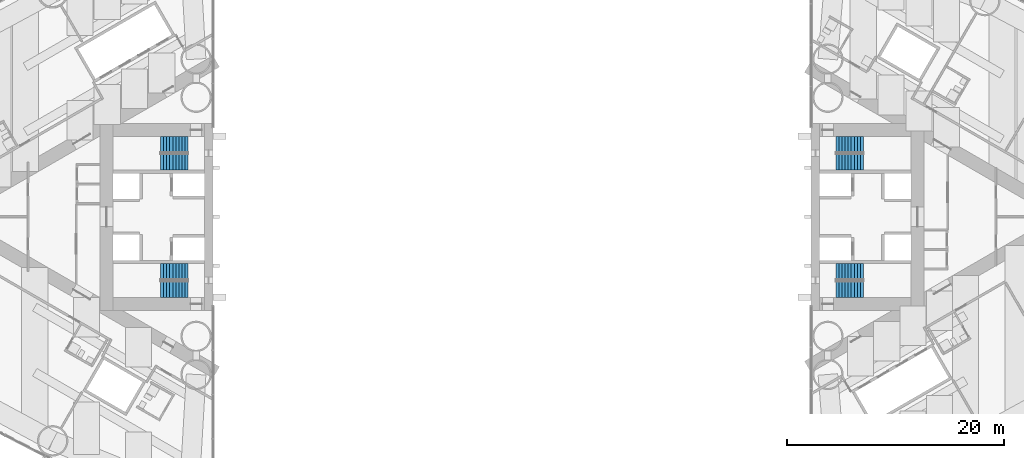
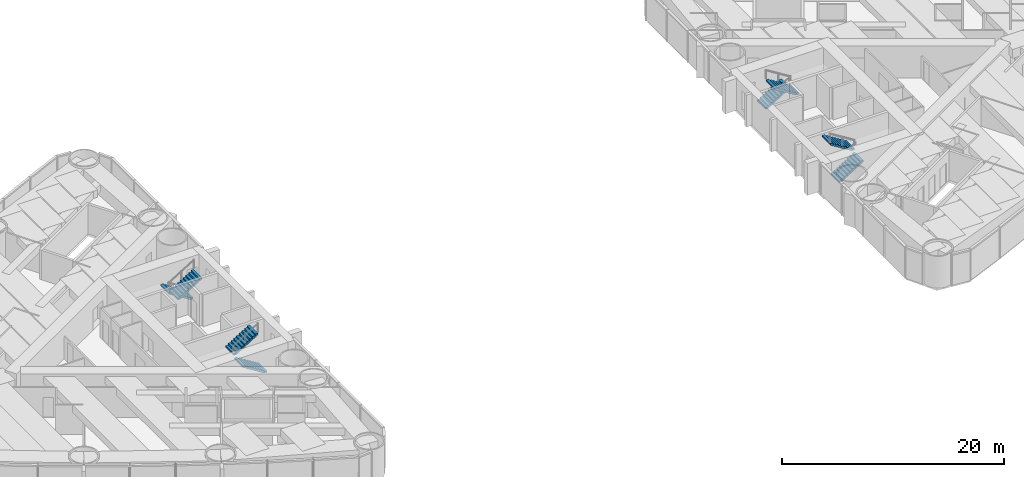
# One storey, part 17 of 19: 8 stair flights, 4 elements without a shape of their own.
"""IFC4 building model written with IfcOpenShell, lengths in metres."""

from ifc_helpers import new_model, si_unit, direction, frame, origin, place, context, subcontext, project, spatial, polyline, outline, extrude, material, type_object, element, aggregate, save


model = new_model("IFC4")

# Units and contexts
model_context = context("Model", 3, precision=1e-05, world=origin(), true_north=direction((0.0, 1.0)))
body_context = subcontext(model_context, "Body", "Model", "MODEL_VIEW")
ifc_project = project(units=[si_unit("LENGTHUNIT", "METRE"), si_unit("AREAUNIT", "SQUARE_METRE"), si_unit("VOLUMEUNIT", "CUBIC_METRE"), si_unit("PLANEANGLEUNIT", "RADIAN"), si_unit("MASSUNIT", "GRAM", prefix="KILO")], contexts=[model_context])

# Site, building, storey
site_placement = place(None, origin())
site = spatial("IfcSite", under=ifc_project, at=site_placement, CompositionType="ELEMENT")
building_placement = place(site_placement, origin())
building = spatial("IfcBuilding", under=site, at=building_placement, Name="Lancet Gate Hotel", CompositionType="ELEMENT")
storey_placement = place(building_placement, frame((0.0, 0.0, 25.0)))
storey = spatial("IfcBuildingStorey", under=building, at=storey_placement, Name="L05", CompositionType="ELEMENT", Elevation=25.0)

# Stair, stair flights
ifc_material_1 = material(Name="Exit stair 20 risers 1500")
stair_type = type_object("IfcStairType", Name="Exit stair 20 risers 1500", PredefinedType="HALF_TURN_STAIR", material=ifc_material_1)
stair_1_placement = place(storey_placement, origin())
stair_1 = element("IfcStair", 1, at=stair_1_placement, inside=storey, type_object=stair_type, Name="T1 stair 1 L05", PredefinedType="HALF_TURN_STAIR")
ifc_material_2 = material(Name="Stair flight 10 risers 175 rise 1500")
stair_flight_type = type_object("IfcStairFlightType", Name="Stair flight 10 risers 175 rise 1500", PredefinedType="STRAIGHT", material=ifc_material_2)
stair_flight_1_placement = place(storey_placement, frame((-29.800048828125, 6.64990234375, 0.0), z_axis=(0.0, 0.0, 1.0), x_axis=(-1.0, 0.0, 0.0)))
stair_flight_1 = element("IfcStairFlight", 2, at=stair_flight_1_placement, type_object=stair_flight_type, Name="ST1 flight 1", NumberOfRisers=10, NumberOfTreads=9, PredefinedType="STRAIGHT", RiserHeight=0.175, TreadLength=0.28, context=body_context, shape_type="SweptSolid", body=[
    extrude(outline(polyline([(0.0, 0.0), (0.0, 0.175048828125), (0.280029296875, 0.175048828125), (0.280029296875, 0.35009765625), (0.56005859375, 0.35009765625), (0.56005859375, 0.52490234375), (0.840087890625, 0.52490234375), (0.840087890625, 0.699951171875), (1.1201171875, 0.699951171875), (1.1201171875, 0.875), (1.39990234375, 0.875), (1.39990234375, 1.050048828125), (1.679931640625, 1.050048828125), (1.679931640625, 1.22509765625), (1.9599609375, 1.22509765625), (1.9599609375, 1.39990234375), (2.239990234375, 1.39990234375), (2.239990234375, 1.574951171875), (2.52001953125, 1.574951171875), (2.52001953125, 1.75), (2.52001953125, 1.398193359375), (0.28271484375, 0.0), (0.0, 0.0)])), frame((0.0, 0.75, 0.0), z_axis=(0.0, -1.0, 0.0), x_axis=(1.0, 0.0, 0.0)), (0.0, 0.0, 1.0), 1.5),
])
stair_flight_2_placement = place(storey_placement, frame((-32.320068359375, 5.050048828125, 1.75), z_axis=(0.0, 0.0, 1.0), x_axis=(1.0, 0.0, 0.0)))
stair_flight_2 = element("IfcStairFlight", 3, at=stair_flight_2_placement, type_object=stair_flight_type, Name="ST1 flight 2", NumberOfRisers=10, NumberOfTreads=9, PredefinedType="STRAIGHT", RiserHeight=0.175, TreadLength=0.28, context=body_context, shape_type="SweptSolid", body=[
    extrude(outline(polyline([(0.0, 0.0), (0.0, 0.175048828125), (0.280029296875, 0.175048828125), (0.280029296875, 0.35009765625), (0.56005859375, 0.35009765625), (0.56005859375, 0.52490234375), (0.840087890625, 0.52490234375), (0.840087890625, 0.699951171875), (1.1201171875, 0.699951171875), (1.1201171875, 0.875), (1.39990234375, 0.875), (1.39990234375, 1.050048828125), (1.679931640625, 1.050048828125), (1.679931640625, 1.22509765625), (1.9599609375, 1.22509765625), (1.9599609375, 1.39990234375), (2.239990234375, 1.39990234375), (2.239990234375, 1.574951171875), (2.52001953125, 1.574951171875), (2.52001953125, 1.75), (2.52001953125, 1.398193359375), (0.28271484375, 0.0), (0.0, 0.0)])), frame((0.0, 0.75, 0.0), z_axis=(0.0, -1.0, 0.0), x_axis=(1.0, 0.0, 0.0)), (0.0, 0.0, 1.0), 1.5),
])
aggregate(stair_1, [stair_flight_1, stair_flight_2])

stair_2_placement = place(storey_placement, origin())
stair_2 = element("IfcStair", 4, at=stair_2_placement, inside=storey, type_object=stair_type, Name="T1 stair 2 L05", PredefinedType="HALF_TURN_STAIR")
stair_flight_3_placement = place(storey_placement, frame((-29.800048828125, -6.64990234375, 0.0), z_axis=(0.0, 0.0, 1.0), x_axis=(-1.0, 0.0, 0.0)))
stair_flight_3 = element("IfcStairFlight", 5, at=stair_flight_3_placement, type_object=stair_flight_type, Name="ST2 flight 1", NumberOfRisers=10, NumberOfTreads=9, PredefinedType="STRAIGHT", RiserHeight=0.175, TreadLength=0.28, context=body_context, shape_type="SweptSolid", body=[
    extrude(outline(polyline([(0.0, 0.0), (0.0, 0.175048828125), (0.280029296875, 0.175048828125), (0.280029296875, 0.35009765625), (0.56005859375, 0.35009765625), (0.56005859375, 0.52490234375), (0.840087890625, 0.52490234375), (0.840087890625, 0.699951171875), (1.1201171875, 0.699951171875), (1.1201171875, 0.875), (1.39990234375, 0.875), (1.39990234375, 1.050048828125), (1.679931640625, 1.050048828125), (1.679931640625, 1.22509765625), (1.9599609375, 1.22509765625), (1.9599609375, 1.39990234375), (2.239990234375, 1.39990234375), (2.239990234375, 1.574951171875), (2.52001953125, 1.574951171875), (2.52001953125, 1.75), (2.52001953125, 1.398193359375), (0.28271484375, 0.0), (0.0, 0.0)])), frame((0.0, 0.75, 0.0), z_axis=(0.0, -1.0, 0.0), x_axis=(1.0, 0.0, 0.0)), (0.0, 0.0, 1.0), 1.5),
])
stair_flight_4_placement = place(storey_placement, frame((-32.320068359375, -5.050048828125, 1.75), z_axis=(0.0, 0.0, 1.0), x_axis=(1.0, 0.0, 0.0)))
stair_flight_4 = element("IfcStairFlight", 6, at=stair_flight_4_placement, type_object=stair_flight_type, Name="ST2 flight 2", NumberOfRisers=10, NumberOfTreads=9, PredefinedType="STRAIGHT", RiserHeight=0.175, TreadLength=0.28, context=body_context, shape_type="SweptSolid", body=[
    extrude(outline(polyline([(0.0, 0.0), (0.0, 0.175048828125), (0.280029296875, 0.175048828125), (0.280029296875, 0.35009765625), (0.56005859375, 0.35009765625), (0.56005859375, 0.52490234375), (0.840087890625, 0.52490234375), (0.840087890625, 0.699951171875), (1.1201171875, 0.699951171875), (1.1201171875, 0.875), (1.39990234375, 0.875), (1.39990234375, 1.050048828125), (1.679931640625, 1.050048828125), (1.679931640625, 1.22509765625), (1.9599609375, 1.22509765625), (1.9599609375, 1.39990234375), (2.239990234375, 1.39990234375), (2.239990234375, 1.574951171875), (2.52001953125, 1.574951171875), (2.52001953125, 1.75), (2.52001953125, 1.398193359375), (0.28271484375, 0.0), (0.0, 0.0)])), frame((0.0, 0.75, 0.0), z_axis=(0.0, -1.0, 0.0), x_axis=(1.0, 0.0, 0.0)), (0.0, 0.0, 1.0), 1.5),
])
aggregate(stair_2, [stair_flight_3, stair_flight_4])

stair_3_placement = place(storey_placement, origin())
stair_3 = element("IfcStair", 7, at=stair_3_placement, inside=storey, type_object=stair_type, Name="T2 stair 1 L05", PredefinedType="HALF_TURN_STAIR")
stair_flight_5_placement = place(storey_placement, frame((29.800048828125, -6.64990234375, 0.0), z_axis=(0.0, 0.0, 1.0), x_axis=(1.0, 0.0, 0.0)))
stair_flight_5 = element("IfcStairFlight", 8, at=stair_flight_5_placement, type_object=stair_flight_type, Name="ST3 flight 1", NumberOfRisers=10, NumberOfTreads=9, PredefinedType="STRAIGHT", RiserHeight=0.175, TreadLength=0.28, context=body_context, shape_type="SweptSolid", body=[
    extrude(outline(polyline([(0.0, 0.0), (0.0, 0.175048828125), (0.280029296875, 0.175048828125), (0.280029296875, 0.35009765625), (0.56005859375, 0.35009765625), (0.56005859375, 0.52490234375), (0.840087890625, 0.52490234375), (0.840087890625, 0.699951171875), (1.1201171875, 0.699951171875), (1.1201171875, 0.875), (1.39990234375, 0.875), (1.39990234375, 1.050048828125), (1.679931640625, 1.050048828125), (1.679931640625, 1.22509765625), (1.9599609375, 1.22509765625), (1.9599609375, 1.39990234375), (2.239990234375, 1.39990234375), (2.239990234375, 1.574951171875), (2.52001953125, 1.574951171875), (2.52001953125, 1.75), (2.52001953125, 1.398193359375), (0.28271484375, 0.0), (0.0, 0.0)])), frame((0.0, 0.75, 0.0), z_axis=(0.0, -1.0, 0.0), x_axis=(1.0, 0.0, 0.0)), (0.0, 0.0, 1.0), 1.5),
])
stair_flight_6_placement = place(storey_placement, frame((32.320068359375, -5.050048828125, 1.75), z_axis=(0.0, 0.0, 1.0), x_axis=(-1.0, 0.0, 0.0)))
stair_flight_6 = element("IfcStairFlight", 9, at=stair_flight_6_placement, type_object=stair_flight_type, Name="ST3 flight 2", NumberOfRisers=10, NumberOfTreads=9, PredefinedType="STRAIGHT", RiserHeight=0.175, TreadLength=0.28, context=body_context, shape_type="SweptSolid", body=[
    extrude(outline(polyline([(0.0, 0.0), (0.0, 0.175048828125), (0.280029296875, 0.175048828125), (0.280029296875, 0.35009765625), (0.56005859375, 0.35009765625), (0.56005859375, 0.52490234375), (0.840087890625, 0.52490234375), (0.840087890625, 0.699951171875), (1.1201171875, 0.699951171875), (1.1201171875, 0.875), (1.39990234375, 0.875), (1.39990234375, 1.050048828125), (1.679931640625, 1.050048828125), (1.679931640625, 1.22509765625), (1.9599609375, 1.22509765625), (1.9599609375, 1.39990234375), (2.239990234375, 1.39990234375), (2.239990234375, 1.574951171875), (2.52001953125, 1.574951171875), (2.52001953125, 1.75), (2.52001953125, 1.398193359375), (0.28271484375, 0.0), (0.0, 0.0)])), frame((0.0, 0.75, 0.0), z_axis=(0.0, -1.0, 0.0), x_axis=(1.0, 0.0, 0.0)), (0.0, 0.0, 1.0), 1.5),
])
aggregate(stair_3, [stair_flight_5, stair_flight_6])

stair_4_placement = place(storey_placement, origin())
stair_4 = element("IfcStair", 10, at=stair_4_placement, inside=storey, type_object=stair_type, Name="T2 stair 2 L05", PredefinedType="HALF_TURN_STAIR")
stair_flight_7_placement = place(storey_placement, frame((29.800048828125, 6.64990234375, 0.0), z_axis=(0.0, 0.0, 1.0), x_axis=(1.0, 0.0, 0.0)))
stair_flight_7 = element("IfcStairFlight", 11, at=stair_flight_7_placement, type_object=stair_flight_type, Name="ST4 flight 1", NumberOfRisers=10, NumberOfTreads=9, PredefinedType="STRAIGHT", RiserHeight=0.175, TreadLength=0.28, context=body_context, shape_type="SweptSolid", body=[
    extrude(outline(polyline([(0.0, 0.0), (0.0, 0.175048828125), (0.280029296875, 0.175048828125), (0.280029296875, 0.35009765625), (0.56005859375, 0.35009765625), (0.56005859375, 0.52490234375), (0.840087890625, 0.52490234375), (0.840087890625, 0.699951171875), (1.1201171875, 0.699951171875), (1.1201171875, 0.875), (1.39990234375, 0.875), (1.39990234375, 1.050048828125), (1.679931640625, 1.050048828125), (1.679931640625, 1.22509765625), (1.9599609375, 1.22509765625), (1.9599609375, 1.39990234375), (2.239990234375, 1.39990234375), (2.239990234375, 1.574951171875), (2.52001953125, 1.574951171875), (2.52001953125, 1.75), (2.52001953125, 1.398193359375), (0.28271484375, 0.0), (0.0, 0.0)])), frame((0.0, 0.75, 0.0), z_axis=(0.0, -1.0, 0.0), x_axis=(1.0, 0.0, 0.0)), (0.0, 0.0, 1.0), 1.5),
])
stair_flight_8_placement = place(storey_placement, frame((32.320068359375, 5.050048828125, 1.75), z_axis=(0.0, 0.0, 1.0), x_axis=(-1.0, 0.0, 0.0)))
stair_flight_8 = element("IfcStairFlight", 12, at=stair_flight_8_placement, type_object=stair_flight_type, Name="ST4 flight 2", NumberOfRisers=10, NumberOfTreads=9, PredefinedType="STRAIGHT", RiserHeight=0.175, TreadLength=0.28, context=body_context, shape_type="SweptSolid", body=[
    extrude(outline(polyline([(0.0, 0.0), (0.0, 0.175048828125), (0.280029296875, 0.175048828125), (0.280029296875, 0.35009765625), (0.56005859375, 0.35009765625), (0.56005859375, 0.52490234375), (0.840087890625, 0.52490234375), (0.840087890625, 0.699951171875), (1.1201171875, 0.699951171875), (1.1201171875, 0.875), (1.39990234375, 0.875), (1.39990234375, 1.050048828125), (1.679931640625, 1.050048828125), (1.679931640625, 1.22509765625), (1.9599609375, 1.22509765625), (1.9599609375, 1.39990234375), (2.239990234375, 1.39990234375), (2.239990234375, 1.574951171875), (2.52001953125, 1.574951171875), (2.52001953125, 1.75), (2.52001953125, 1.398193359375), (0.28271484375, 0.0), (0.0, 0.0)])), frame((0.0, 0.75, 0.0), z_axis=(0.0, -1.0, 0.0), x_axis=(1.0, 0.0, 0.0)), (0.0, 0.0, 1.0), 1.5),
])
aggregate(stair_4, [stair_flight_7, stair_flight_8])

save(model, "model.ifc")
